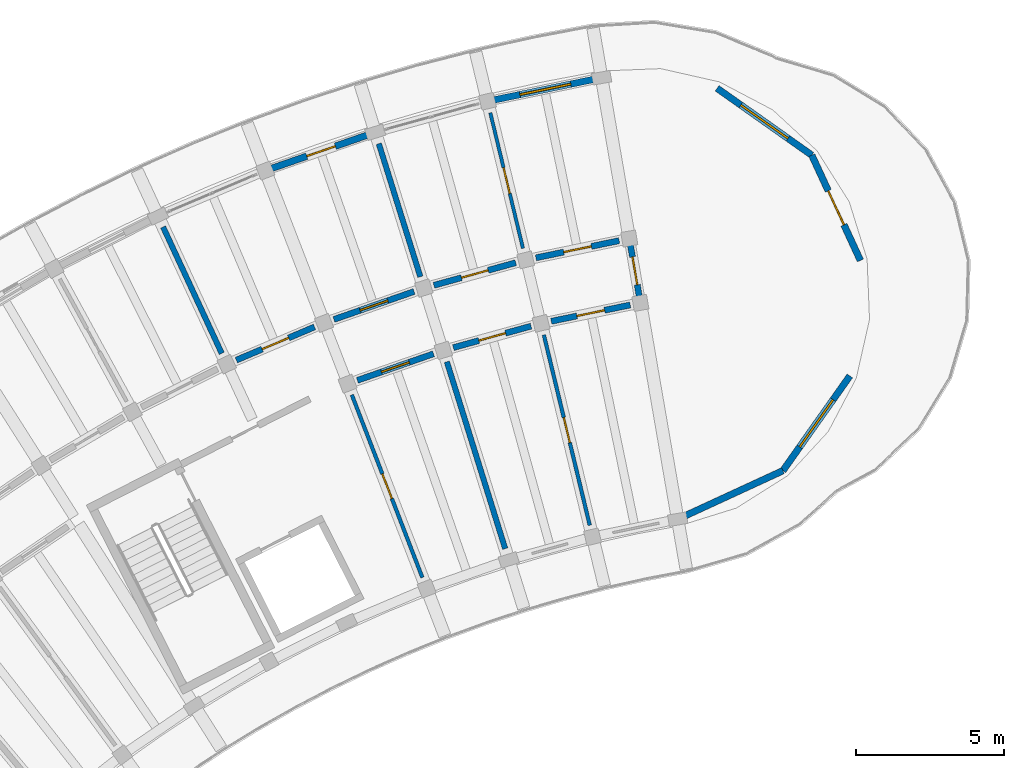
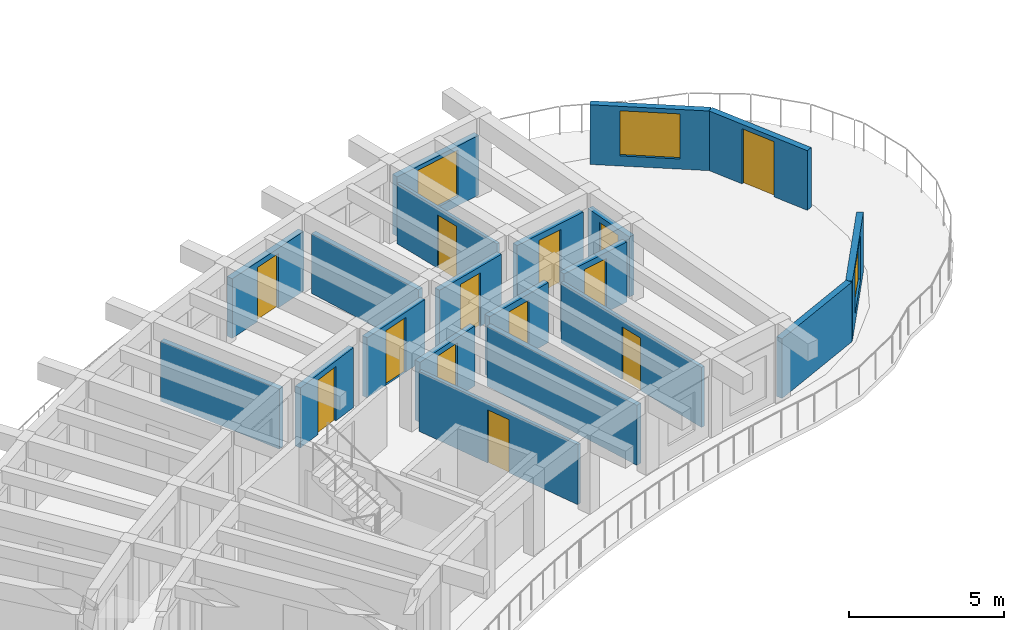
# One storey, part 39 of 62: 20 walls, 13 doors, 3 windows, 16 openings.
"""IFC4 building model written with IfcOpenShell, lengths in metres."""

from ifc_helpers import new_model, si_unit, direction, frame, frame_2d, origin, place, context, subcontext, project, spatial, rectangle, extrude, material, layer, layer_set, type_object, element, fill, save


model = new_model("IFC4")

# Units and contexts
model_context = context("Model", 3, precision=1e-05, world=origin(), true_north=direction((0.0, 1.0)))
body_context = subcontext(model_context, "Body", "Model", "MODEL_VIEW")
ifc_project = project(units=[si_unit("LENGTHUNIT", "METRE"), si_unit("AREAUNIT", "SQUARE_METRE"), si_unit("VOLUMEUNIT", "CUBIC_METRE"), si_unit("PLANEANGLEUNIT", "RADIAN"), si_unit("MASSUNIT", "GRAM", prefix="KILO")], contexts=[model_context])

# Site, building, storey
site_placement = place(None, origin())
site = spatial("IfcSite", under=ifc_project, at=site_placement, CompositionType="ELEMENT")
building_placement = place(site_placement, origin())
building = spatial("IfcBuilding", under=site, at=building_placement, Name="Tanwirah Colonnade Gardens", CompositionType="ELEMENT")
storey_placement = place(building_placement, frame((0.0, 0.0, 32.360107421875)))
storey = spatial("IfcBuildingStorey", under=building, at=storey_placement, Name="L09", CompositionType="ELEMENT", Elevation=32.360107421875)

# Wall, opening, window
ifc_material_1 = material(Name="Limestone architectural precast concrete C40/50", Category="masonry")
ifc_layer_1 = layer(ifc_material_1, 0.22509765625)
ifc_layer_set_1 = layer_set([ifc_layer_1], Name="Limestone architectural precast concrete C40/50")
wall_type_1 = type_object("IfcWallType", Name="EW-PC225", PredefinedType="SOLIDWALL", material=ifc_layer_set_1)
wall_1_placement = place(storey_placement, frame((54.72509765625, 118.8515625, 0.0), z_axis=(0.0, 0.0, 1.0), x_axis=(-0.979336300967, -0.202238496848, 0.0)))
wall_1 = element("IfcWall", 1, at=wall_1_placement, inside=storey, type_object=wall_type_1, Name="Block A L09 OUT Precast Facade Wall 1", PredefinedType="SOLIDWALL", context=body_context, shape_type="SweptSolid", body=[
    extrude(rectangle(XDim=3.540771484375, YDim=0.22509765625, at=frame_2d((1.7705078125, 0.0))), origin(), (0.0, 0.0, 1.0), 2.35498046875),
])
opening_1_placement = place(wall_1_placement, frame((0.895263671875, 0.0, 0.35009765625)))
opening_1 = element("IfcOpeningElement", 2, at=opening_1_placement, cuts=wall_1, Name="Opening WIN-T13", PredefinedType="OPENING", context=body_context, shape_type="SweptSolid", body=[
    extrude(rectangle(XDim=1.75, YDim=1.85009765625, at=frame_2d((0.875, 0.925048828125))), frame((0.0, 0.12255859375, 0.0), z_axis=(0.0, -1.0, 0.0), x_axis=(1.0, 0.0, 0.0)), (0.0, 0.0, 1.0), 0.2451171875),
])
ifc_material_2 = material(Name="Thermally broken bronze aluminium and solar low-E double glazing", Category="aluminium")
window_type_1 = type_object("IfcWindowType", Name="WIN-T13", PartitioningType="TRIPLE_PANEL_VERTICAL", PredefinedType="WINDOW", material=ifc_material_2)
window_1_placement = place(opening_1_placement, origin())
window_1 = element("IfcWindow", 3, at=window_1_placement, inside=storey, type_object=window_type_1, Name="Facade window A-L09-OUT-01", OverallHeight=1.85009765625, OverallWidth=1.75, PartitioningType="SINGLE_PANEL", PredefinedType="WINDOW", context=body_context, shape_type="SweptSolid", body=[
    extrude(rectangle(XDim=1.75, YDim=1.85009765625, at=frame_2d((0.875, 0.925048828125))), frame((0.0, 0.030029296875, 0.0), z_axis=(0.0, -1.0, 0.0), x_axis=(1.0, 0.0, 0.0)), (0.0, 0.0, 1.0), 0.06005859375),
])
fill(opening_1, window_1)

# Wall, opening, door
wall_2_placement = place(storey_placement, frame((47.1025390625, 116.991455078125, 0.0), z_axis=(0.0, 0.0, 1.0), x_axis=(-0.944250036963, -0.329229202373, 0.0)))
wall_2 = element("IfcWall", 4, at=wall_2_placement, inside=storey, type_object=wall_type_1, Name="Block A L09 OUT Precast Facade Wall 3", PredefinedType="SOLIDWALL", context=body_context, shape_type="SweptSolid", body=[
    extrude(rectangle(XDim=3.541015625, YDim=0.22509765625, at=frame_2d((1.7705078125, 0.0))), origin(), (0.0, 0.0, 1.0), 2.35498046875),
])
opening_2_placement = place(wall_2_placement, frame((1.26025390625, 0.0, 0.0)))
opening_2 = element("IfcOpeningElement", 5, at=opening_2_placement, cuts=wall_2, Name="Opening L09-ED041", PredefinedType="OPENING", context=body_context, shape_type="SweptSolid", body=[
    extrude(rectangle(XDim=1.02001953125, YDim=2.139892578125, at=frame_2d((0.510009765625, 1.06982421875))), frame((0.0, 0.12255859375, 0.0), z_axis=(0.0, -1.0, 0.0), x_axis=(1.0, 0.0, 0.0)), (0.0, 0.0, 1.0), 0.2451171875),
])
ifc_material_3 = material(Name="Bronze aluminium glazed balcony door", Category="aluminium")
door_type_1 = type_object("IfcDoorType", Name="ED-BAL102", OperationType="NOTDEFINED", PredefinedType="DOOR", material=ifc_material_3)
door_1_placement = place(opening_2_placement, origin())
door_1 = element("IfcDoor", 6, at=door_1_placement, inside=storey, type_object=door_type_1, Name="Balcony glazed door L09-ED041", OperationType="SINGLE_SWING_LEFT", OverallHeight=2.139892578125, OverallWidth=1.02001953125, PredefinedType="DOOR", context=body_context, shape_type="SweptSolid", body=[
    extrude(rectangle(XDim=1.02001953125, YDim=2.139892578125, at=frame_2d((0.510009765625, 1.06982421875))), frame((0.0, 0.02490234375, 0.0), z_axis=(0.0, -1.0, 0.0), x_axis=(1.0, 0.0, 0.0)), (0.0, 0.0, 1.0), 0.050048828125),
])
fill(opening_2, door_1)

# Wall, opening, window
wall_3_placement = place(storey_placement, frame((58.77880859375, 118.529296875, 0.0), z_axis=(0.0, 0.0, 1.0), x_axis=(0.816903802512, -0.576773939634, 0.0)))
wall_3 = element("IfcWall", 7, at=wall_3_placement, inside=storey, type_object=wall_type_1, Name="Block A L09 START Rounded End Wall 1", PredefinedType="SOLIDWALL", context=body_context, shape_type="SweptSolid", body=[
    extrude(rectangle(XDim=3.908203125, YDim=0.22509765625, at=frame_2d((1.9541015625, 0.0))), origin(), (0.0, 0.0, 1.0), 2.35498046875),
])
opening_3_placement = place(wall_3_placement, frame((0.97900390625, 0.0, 0.39990234375)))
opening_3 = element("IfcOpeningElement", 8, at=opening_3_placement, cuts=wall_3, Name="Opening WIN-END2", PredefinedType="OPENING", context=body_context, shape_type="SweptSolid", body=[
    extrude(rectangle(XDim=1.949951171875, YDim=1.780029296875, at=frame_2d((0.97509765625, 0.89013671875))), frame((0.0, 0.12255859375, 0.0), z_axis=(0.0, -1.0, 0.0), x_axis=(1.0, 0.0, 0.0)), (0.0, 0.0, 1.0), 0.2451171875),
])
window_type_2 = type_object("IfcWindowType", Name="WIN-END2", PartitioningType="TRIPLE_PANEL_VERTICAL", PredefinedType="WINDOW", material=ifc_material_2)
window_2_placement = place(opening_3_placement, origin())
window_2 = element("IfcWindow", 9, at=window_2_placement, inside=storey, type_object=window_type_2, Name="Rounded corner window A-L09-START-1", OverallHeight=1.780029296875, OverallWidth=1.949951171875, PartitioningType="SINGLE_PANEL", PredefinedType="WINDOW", context=body_context, shape_type="SweptSolid", body=[
    extrude(rectangle(XDim=1.949951171875, YDim=1.780029296875, at=frame_2d((0.97509765625, 0.89013671875))), frame((0.0, 0.030029296875, 0.0), z_axis=(0.0, -1.0, 0.0), x_axis=(1.0, 0.0, 0.0)), (0.0, 0.0, 1.0), 0.06005859375),
])
fill(opening_3, window_2)

# Wall, opening, door
wall_4_placement = place(storey_placement, frame((61.971435546875, 116.275146484375, 0.0), z_axis=(0.0, 0.0, 1.0), x_axis=(0.419109676255, -0.907935614055, 0.0)))
wall_4 = element("IfcWall", 10, at=wall_4_placement, inside=storey, type_object=wall_type_1, Name="Block A L09 START Rounded End Wall 2", PredefinedType="SOLIDWALL", context=body_context, shape_type="SweptSolid", body=[
    extrude(rectangle(XDim=3.908203125, YDim=0.22509765625, at=frame_2d((1.9541015625, 0.0))), origin(), (0.0, 0.0, 1.0), 2.35498046875),
])
opening_4_placement = place(wall_4_placement, frame((1.32421875, 0.0, 0.0)))
opening_4 = element("IfcOpeningElement", 11, at=opening_4_placement, cuts=wall_4, Name="Opening L09-ED045", PredefinedType="OPENING", context=body_context, shape_type="SweptSolid", body=[
    extrude(rectangle(XDim=1.260009765625, YDim=2.179931640625, at=frame_2d((0.6298828125, 1.08984375))), frame((0.0, 0.12255859375, 0.0), z_axis=(0.0, -1.0, 0.0), x_axis=(1.0, 0.0, 0.0)), (0.0, 0.0, 1.0), 0.2451171875),
])
ifc_material_4 = material(Name="Bronze aluminium glazed terrace door", Category="aluminium")
door_type_2 = type_object("IfcDoorType", Name="ED-TER126", OperationType="NOTDEFINED", PredefinedType="DOOR", material=ifc_material_4)
door_2_placement = place(opening_4_placement, origin())
door_2 = element("IfcDoor", 12, at=door_2_placement, inside=storey, type_object=door_type_2, Name="Stepped corner terrace door L09-ED045", OperationType="SINGLE_SWING_RIGHT", OverallHeight=2.179931640625, OverallWidth=1.260009765625, PredefinedType="DOOR", context=body_context, shape_type="SweptSolid", body=[
    extrude(rectangle(XDim=1.260009765625, YDim=2.179931640625, at=frame_2d((0.6298828125, 1.08984375))), frame((0.0, 0.02490234375, 0.0), z_axis=(0.0, -1.0, 0.0), x_axis=(1.0, 0.0, 0.0)), (0.0, 0.0, 1.0), 0.050048828125),
])
fill(opening_4, door_2)

# Wall, opening, window
wall_5_placement = place(storey_placement, frame((63.253662109375, 108.8349609375, 0.0), z_axis=(0.0, 0.0, 1.0), x_axis=(-0.576773939634, -0.816903802512, 0.0)))
wall_5 = element("IfcWall", 13, at=wall_5_placement, inside=storey, type_object=wall_type_1, Name="Block A L09 START Rounded End Wall 4", PredefinedType="SOLIDWALL", context=body_context, shape_type="SweptSolid", body=[
    extrude(rectangle(XDim=3.908203125, YDim=0.22509765625, at=frame_2d((1.9541015625, 0.0))), origin(), (0.0, 0.0, 1.0), 2.35498046875),
])
opening_5_placement = place(wall_5_placement, frame((0.97900390625, 0.0, 0.39990234375)))
opening_5 = element("IfcOpeningElement", 14, at=opening_5_placement, cuts=wall_5, Name="Opening WIN-END2", PredefinedType="OPENING", context=body_context, shape_type="SweptSolid", body=[
    extrude(rectangle(XDim=1.949951171875, YDim=1.780029296875, at=frame_2d((0.97509765625, 0.89013671875))), frame((0.0, 0.12255859375, 0.0), z_axis=(0.0, -1.0, 0.0), x_axis=(1.0, 0.0, 0.0)), (0.0, 0.0, 1.0), 0.2451171875),
])
window_3_placement = place(opening_5_placement, origin())
window_3 = element("IfcWindow", 15, at=window_3_placement, inside=storey, type_object=window_type_2, Name="Rounded corner window A-L09-START-4", OverallHeight=1.780029296875, OverallWidth=1.949951171875, PartitioningType="SINGLE_PANEL", PredefinedType="WINDOW", context=body_context, shape_type="SweptSolid", body=[
    extrude(rectangle(XDim=1.949951171875, YDim=1.780029296875, at=frame_2d((0.97509765625, 0.89013671875))), frame((0.0, 0.030029296875, 0.0), z_axis=(0.0, -1.0, 0.0), x_axis=(1.0, 0.0, 0.0)), (0.0, 0.0, 1.0), 0.06005859375),
])
fill(opening_5, window_3)

# Wall
wall_6_placement = place(storey_placement, frame((60.99951171875, 105.642333984375, 0.0), z_axis=(0.0, 0.0, 1.0), x_axis=(-0.907935614055, -0.419109676255, 0.0)))
element("IfcWall", 16, at=wall_6_placement, inside=storey, type_object=wall_type_1, Name="Block A L09 START Rounded End Wall 5", PredefinedType="SOLIDWALL", context=body_context, shape_type="SweptSolid", body=[
    extrude(rectangle(XDim=3.908203125, YDim=0.22509765625, at=frame_2d((1.9541015625, 0.0))), origin(), (0.0, 0.0, 1.0), 2.35498046875),
])

# Wall, opening, door
ifc_material_5 = material(Name="Precast concrete C40/50", Category="concrete")
ifc_layer_2 = layer(ifc_material_5, 0.205078125)
ifc_layer_set_2 = layer_set([ifc_layer_2], Name="Precast concrete C40/50")
wall_type_2 = type_object("IfcWallType", Name="IW-CORR205", PredefinedType="PARTITIONING", material=ifc_layer_set_2)
wall_7_placement = place(storey_placement, frame((55.47802734375, 113.39404296875, 0.0), z_axis=(0.0, 0.0, 1.0), x_axis=(-0.979348418612, -0.202179808492, 0.0)))
wall_7 = element("IfcWall", 17, at=wall_7_placement, inside=storey, type_object=wall_type_2, Name="Block A L09 OUT Corridor Wall 1", PredefinedType="PARTITIONING", context=body_context, shape_type="SweptSolid", body=[
    extrude(rectangle(XDim=2.863037109375, YDim=0.205078125, at=frame_2d((1.431640625, 0.0))), origin(), (0.0, 0.0, 1.0), 2.369873046875),
])
opening_6_placement = place(wall_7_placement, frame((0.95654296875, 0.0, 0.0)))
opening_6 = element("IfcOpeningElement", 18, at=opening_6_placement, cuts=wall_7, Name="Opening L09-AD598", PredefinedType="OPENING", context=body_context, shape_type="SweptSolid", body=[
    extrude(rectangle(XDim=0.949951171875, YDim=2.1298828125, at=frame_2d((0.47509765625, 1.06494140625))), frame((0.0, 0.112548828125, 0.0), z_axis=(0.0, -1.0, 0.0), x_axis=(1.0, 0.0, 0.0)), (0.0, 0.0, 1.0), 0.22509765625),
])
ifc_material_6 = material(Name="Solid oak fire-resisting apartment entrance door")
door_type_3 = type_object("IfcDoorType", Name="ID-FLT095", OperationType="NOTDEFINED", PredefinedType="DOOR", material=ifc_material_6)
door_3_placement = place(opening_6_placement, origin())
door_3 = element("IfcDoor", 19, at=door_3_placement, inside=storey, type_object=door_type_3, Name="Apartment corridor door L09-AD598", OperationType="SINGLE_SWING_LEFT", OverallHeight=2.1298828125, OverallWidth=0.949951171875, PredefinedType="DOOR", context=body_context, shape_type="SweptSolid", body=[
    extrude(rectangle(XDim=0.949951171875, YDim=2.1298828125, at=frame_2d((0.47509765625, 1.06494140625))), frame((0.0, 0.02490234375, 0.0), z_axis=(0.0, -1.0, 0.0), x_axis=(1.0, 0.0, 0.0)), (0.0, 0.0, 1.0), 0.050048828125),
])
fill(opening_6, door_3)

wall_8_placement = place(storey_placement, frame((55.851806640625, 111.22607421875, 0.0), z_axis=(0.0, 0.0, 1.0), x_axis=(-0.979349423541, -0.202174940608, 0.0)))
wall_8 = element("IfcWall", 20, at=wall_8_placement, inside=storey, type_object=wall_type_2, Name="Block A L09 IN Corridor Wall 1", PredefinedType="PARTITIONING", context=body_context, shape_type="SweptSolid", body=[
    extrude(rectangle(XDim=2.71826171875, YDim=0.205078125, at=frame_2d((1.359130859375, 0.0))), origin(), (0.0, 0.0, 1.0), 2.369873046875),
])
opening_7_placement = place(wall_8_placement, frame((0.884033203125, 0.0, 0.0)))
opening_7 = element("IfcOpeningElement", 21, at=opening_7_placement, cuts=wall_8, Name="Opening L09-AD599", PredefinedType="OPENING", context=body_context, shape_type="SweptSolid", body=[
    extrude(rectangle(XDim=0.949951171875, YDim=2.1298828125, at=frame_2d((0.47509765625, 1.06494140625))), frame((0.0, 0.112548828125, 0.0), z_axis=(0.0, -1.0, 0.0), x_axis=(1.0, 0.0, 0.0)), (0.0, 0.0, 1.0), 0.22509765625),
])
door_4_placement = place(opening_7_placement, origin())
door_4 = element("IfcDoor", 22, at=door_4_placement, inside=storey, type_object=door_type_3, Name="Apartment corridor door L09-AD599", OperationType="SINGLE_SWING_RIGHT", OverallHeight=2.1298828125, OverallWidth=0.949951171875, PredefinedType="DOOR", context=body_context, shape_type="SweptSolid", body=[
    extrude(rectangle(XDim=0.949951171875, YDim=2.1298828125, at=frame_2d((0.47509765625, 1.06494140625))), frame((0.0, 0.02490234375, 0.0), z_axis=(0.0, -1.0, 0.0), x_axis=(1.0, 0.0, 0.0)), (0.0, 0.0, 1.0), 0.050048828125),
])
fill(opening_7, door_4)

wall_9_placement = place(storey_placement, frame((51.993896484375, 112.651123046875, 0.0), z_axis=(0.0, 0.0, 1.0), x_axis=(-0.963890789093, -0.266297853356, 0.0)))
wall_9 = element("IfcWall", 23, at=wall_9_placement, inside=storey, type_object=wall_type_2, Name="Block A L09 OUT Corridor Wall 2", PredefinedType="PARTITIONING", context=body_context, shape_type="SweptSolid", body=[
    extrude(rectangle(XDim=2.863037109375, YDim=0.205078125, at=frame_2d((1.431640625, 0.0))), origin(), (0.0, 0.0, 1.0), 2.369873046875),
])
opening_8_placement = place(wall_9_placement, frame((0.966552734375, 0.0, 0.0)))
opening_8 = element("IfcOpeningElement", 24, at=opening_8_placement, cuts=wall_9, Name="Opening L09-AD602", PredefinedType="OPENING", context=body_context, shape_type="SweptSolid", body=[
    extrude(rectangle(XDim=0.929931640625, YDim=2.1201171875, at=frame_2d((0.46484375, 1.06005859375))), frame((0.0, 0.112548828125, 0.0), z_axis=(0.0, -1.0, 0.0), x_axis=(1.0, 0.0, 0.0)), (0.0, 0.0, 1.0), 0.22509765625),
])
door_type_4 = type_object("IfcDoorType", Name="ID-FLT093", OperationType="NOTDEFINED", PredefinedType="DOOR", material=ifc_material_6)
door_5_placement = place(opening_8_placement, origin())
door_5 = element("IfcDoor", 25, at=door_5_placement, inside=storey, type_object=door_type_4, Name="Apartment corridor door L09-AD602", OperationType="SINGLE_SWING_RIGHT", OverallHeight=2.1201171875, OverallWidth=0.929931640625, PredefinedType="DOOR", context=body_context, shape_type="SweptSolid", body=[
    extrude(rectangle(XDim=0.929931640625, YDim=2.1201171875, at=frame_2d((0.46484375, 1.06005859375))), frame((0.0, 0.02490234375, 0.0), z_axis=(0.0, -1.0, 0.0), x_axis=(1.0, 0.0, 0.0)), (0.0, 0.0, 1.0), 0.050048828125),
])
fill(opening_8, door_5)

wall_10_placement = place(storey_placement, frame((52.509521484375, 110.512451171875, 0.0), z_axis=(0.0, 0.0, 1.0), x_axis=(-0.96388375821, -0.266323301006, 0.0)))
wall_10 = element("IfcWall", 26, at=wall_10_placement, inside=storey, type_object=wall_type_2, Name="Block A L09 IN Corridor Wall 2", PredefinedType="PARTITIONING", context=body_context, shape_type="SweptSolid", body=[
    extrude(rectangle(XDim=2.718017578125, YDim=0.205078125, at=frame_2d((1.35888671875, 0.0))), origin(), (0.0, 0.0, 1.0), 2.369873046875),
])
opening_9_placement = place(wall_10_placement, frame((0.89404296875, 0.0, 0.0)))
opening_9 = element("IfcOpeningElement", 27, at=opening_9_placement, cuts=wall_10, Name="Opening L09-AD603", PredefinedType="OPENING", context=body_context, shape_type="SweptSolid", body=[
    extrude(rectangle(XDim=0.929931640625, YDim=2.1201171875, at=frame_2d((0.46484375, 1.06005859375))), frame((0.0, 0.112548828125, 0.0), z_axis=(0.0, -1.0, 0.0), x_axis=(1.0, 0.0, 0.0)), (0.0, 0.0, 1.0), 0.22509765625),
])
door_6_placement = place(opening_9_placement, origin())
door_6 = element("IfcDoor", 28, at=door_6_placement, inside=storey, type_object=door_type_4, Name="Apartment corridor door L09-AD603", OperationType="SINGLE_SWING_LEFT", OverallHeight=2.1201171875, OverallWidth=0.929931640625, PredefinedType="DOOR", context=body_context, shape_type="SweptSolid", body=[
    extrude(rectangle(XDim=0.929931640625, YDim=2.1201171875, at=frame_2d((0.46484375, 1.06005859375))), frame((0.0, 0.02490234375, 0.0), z_axis=(0.0, -1.0, 0.0), x_axis=(1.0, 0.0, 0.0)), (0.0, 0.0, 1.0), 0.050048828125),
])
fill(opening_9, door_6)

wall_11_placement = place(storey_placement, frame((48.56640625, 111.68017578125, 0.0), z_axis=(0.0, 0.0, 1.0), x_axis=(-0.944253820929, -0.329218349522, 0.0)))
wall_11 = element("IfcWall", 29, at=wall_11_placement, inside=storey, type_object=wall_type_2, Name="Block A L09 OUT Corridor Wall 3", PredefinedType="PARTITIONING", context=body_context, shape_type="SweptSolid", body=[
    extrude(rectangle(XDim=2.86328125, YDim=0.205078125, at=frame_2d((1.431640625, 0.0))), origin(), (0.0, 0.0, 1.0), 2.369873046875),
])
opening_10_placement = place(wall_11_placement, frame((0.9365234375, 0.0, 0.0)))
opening_10 = element("IfcOpeningElement", 30, at=opening_10_placement, cuts=wall_11, Name="Opening L09-AD604", PredefinedType="OPENING", context=body_context, shape_type="SweptSolid", body=[
    extrude(rectangle(XDim=0.989990234375, YDim=2.159912109375, at=frame_2d((0.4951171875, 1.080078125))), frame((0.0, 0.112548828125, 0.0), z_axis=(0.0, -1.0, 0.0), x_axis=(1.0, 0.0, 0.0)), (0.0, 0.0, 1.0), 0.22509765625),
])
door_type_5 = type_object("IfcDoorType", Name="ID-FLT099", OperationType="NOTDEFINED", PredefinedType="DOOR", material=ifc_material_6)
door_7_placement = place(opening_10_placement, origin())
door_7 = element("IfcDoor", 31, at=door_7_placement, inside=storey, type_object=door_type_5, Name="Apartment corridor door L09-AD604", OperationType="SINGLE_SWING_LEFT", OverallHeight=2.159912109375, OverallWidth=0.989990234375, PredefinedType="DOOR", context=body_context, shape_type="SweptSolid", body=[
    extrude(rectangle(XDim=0.989990234375, YDim=2.159912109375, at=frame_2d((0.4951171875, 1.080078125))), frame((0.0, 0.02490234375, 0.0), z_axis=(0.0, -1.0, 0.0), x_axis=(1.0, 0.0, 0.0)), (0.0, 0.0, 1.0), 0.050048828125),
])
fill(opening_10, door_7)

wall_12_placement = place(storey_placement, frame((49.221923828125, 109.580078125, 0.0), z_axis=(0.0, 0.0, 1.0), x_axis=(-0.944265123647, -0.329185929627, 0.0)))
wall_12 = element("IfcWall", 32, at=wall_12_placement, inside=storey, type_object=wall_type_2, Name="Block A L09 IN Corridor Wall 3", PredefinedType="PARTITIONING", context=body_context, shape_type="SweptSolid", body=[
    extrude(rectangle(XDim=2.71826171875, YDim=0.205078125, at=frame_2d((1.359130859375, 0.0))), origin(), (0.0, 0.0, 1.0), 2.369873046875),
])
opening_11_placement = place(wall_12_placement, frame((0.864013671875, 0.0, 0.0)))
opening_11 = element("IfcOpeningElement", 33, at=opening_11_placement, cuts=wall_12, Name="Opening L09-AD605", PredefinedType="OPENING", context=body_context, shape_type="SweptSolid", body=[
    extrude(rectangle(XDim=0.989990234375, YDim=2.159912109375, at=frame_2d((0.4951171875, 1.080078125))), frame((0.0, 0.112548828125, 0.0), z_axis=(0.0, -1.0, 0.0), x_axis=(1.0, 0.0, 0.0)), (0.0, 0.0, 1.0), 0.22509765625),
])
door_8_placement = place(opening_11_placement, origin())
door_8 = element("IfcDoor", 34, at=door_8_placement, inside=storey, type_object=door_type_5, Name="Apartment corridor door L09-AD605", OperationType="SINGLE_SWING_RIGHT", OverallHeight=2.159912109375, OverallWidth=0.989990234375, PredefinedType="DOOR", context=body_context, shape_type="SweptSolid", body=[
    extrude(rectangle(XDim=0.989990234375, YDim=2.159912109375, at=frame_2d((0.4951171875, 1.080078125))), frame((0.0, 0.02490234375, 0.0), z_axis=(0.0, -1.0, 0.0), x_axis=(1.0, 0.0, 0.0)), (0.0, 0.0, 1.0), 0.050048828125),
])
fill(opening_11, door_8)

wall_13_placement = place(storey_placement, frame((45.210205078125, 110.485595703125, 0.0), z_axis=(0.0, 0.0, 1.0), x_axis=(-0.920511160294, -0.390716270168, 0.0)))
wall_13 = element("IfcWall", 35, at=wall_13_placement, inside=storey, type_object=wall_type_2, Name="Block A L09 OUT Corridor Wall 4", PredefinedType="PARTITIONING", context=body_context, shape_type="SweptSolid", body=[
    extrude(rectangle(XDim=2.863037109375, YDim=0.205078125, at=frame_2d((1.431640625, 0.0))), origin(), (0.0, 0.0, 1.0), 2.369873046875),
])
opening_12_placement = place(wall_13_placement, frame((0.946533203125, 0.0, 0.0)))
opening_12 = element("IfcOpeningElement", 36, at=opening_12_placement, cuts=wall_13, Name="Opening L09-AD607", PredefinedType="OPENING", context=body_context, shape_type="SweptSolid", body=[
    extrude(rectangle(XDim=0.969970703125, YDim=2.14990234375, at=frame_2d((0.48486328125, 1.074951171875))), frame((0.0, 0.112548828125, 0.0), z_axis=(0.0, -1.0, 0.0), x_axis=(1.0, 0.0, 0.0)), (0.0, 0.0, 1.0), 0.22509765625),
])
door_type_6 = type_object("IfcDoorType", Name="ID-FLT097", OperationType="NOTDEFINED", PredefinedType="DOOR", material=ifc_material_6)
door_9_placement = place(opening_12_placement, origin())
door_9 = element("IfcDoor", 37, at=door_9_placement, inside=storey, type_object=door_type_6, Name="Apartment corridor door L09-AD607", OperationType="SINGLE_SWING_RIGHT", OverallHeight=2.14990234375, OverallWidth=0.969970703125, PredefinedType="DOOR", context=body_context, shape_type="SweptSolid", body=[
    extrude(rectangle(XDim=0.969970703125, YDim=2.14990234375, at=frame_2d((0.48486328125, 1.074951171875))), frame((0.0, 0.02490234375, 0.0), z_axis=(0.0, -1.0, 0.0), x_axis=(1.0, 0.0, 0.0)), (0.0, 0.0, 1.0), 0.050048828125),
])
fill(opening_12, door_9)

wall_14_placement = place(storey_placement, frame((56.18603515625, 111.34619140625, 0.0), z_axis=(0.0, 0.0, 1.0), x_axis=(-0.169864088707, 0.98546749889, 0.0)))
wall_14 = element("IfcWall", 38, at=wall_14_placement, inside=storey, type_object=wall_type_2, Name="Block A L09 CS Corner Suite Corridor Wall", PredefinedType="PARTITIONING", context=body_context, shape_type="SweptSolid", body=[
    extrude(rectangle(XDim=2.099853515625, YDim=0.205078125, at=frame_2d((1.0498046875, 0.0))), origin(), (0.0, 0.0, 1.0), 2.369873046875),
])
opening_13_placement = place(wall_14_placement, frame((0.570068359375, 0.0, 0.0)))
opening_13 = element("IfcOpeningElement", 39, at=opening_13_placement, cuts=wall_14, Name="Opening L09-CD632", PredefinedType="OPENING", context=body_context, shape_type="SweptSolid", body=[
    extrude(rectangle(XDim=0.949951171875, YDim=2.1298828125, at=frame_2d((0.47509765625, 1.06494140625))), frame((0.0, 0.112548828125, 0.0), z_axis=(0.0, -1.0, 0.0), x_axis=(1.0, 0.0, 0.0)), (0.0, 0.0, 1.0), 0.22509765625),
])
door_10_placement = place(opening_13_placement, origin())
door_10 = element("IfcDoor", 40, at=door_10_placement, inside=storey, type_object=door_type_3, Name="Corner suite entrance door L09-CD632", OperationType="SINGLE_SWING_LEFT", OverallHeight=2.1298828125, OverallWidth=0.949951171875, PredefinedType="DOOR", context=body_context, shape_type="SweptSolid", body=[
    extrude(rectangle(XDim=0.949951171875, YDim=2.1298828125, at=frame_2d((0.47509765625, 1.06494140625))), frame((0.0, 0.02490234375, 0.0), z_axis=(0.0, -1.0, 0.0), x_axis=(1.0, 0.0, 0.0)), (0.0, 0.0, 1.0), 0.050048828125),
])
fill(opening_13, door_10)

# Walls
ifc_layer_3 = layer(ifc_material_5, 0.18505859375)
ifc_layer_set_3 = layer_set([ifc_layer_3], Name="Precast concrete C40/50")
wall_type_3 = type_object("IfcWallType", Name="IW-DEM185", PredefinedType="PARTITIONING", material=ifc_layer_set_3)
wall_15_placement = place(storey_placement, frame((48.777587890625, 112.17724609375, 0.0), z_axis=(0.0, 0.0, 1.0), x_axis=(-0.297905254614, 0.954595442726, 0.0)))
element("IfcWall", 41, at=wall_15_placement, inside=storey, type_object=wall_type_3, Name="Block A L09 Radial Partition 2", PredefinedType="PARTITIONING", context=body_context, shape_type="SweptSolid", body=[
    extrude(rectangle(XDim=4.699951171875, YDim=0.18505859375, at=frame_2d((2.35009765625, 0.0))), origin(), (0.0, 0.0, 1.0), 2.369873046875),
])
wall_16_placement = place(storey_placement, frame((51.637939453125, 103.01318359375, 0.0), z_axis=(0.0, 0.0, 1.0), x_axis=(-0.2979590431, 0.954578655028, 0.0)))
element("IfcWall", 42, at=wall_16_placement, inside=storey, type_object=wall_type_3, Name="Block A L09 Inner Radial Partition 2", PredefinedType="PARTITIONING", context=body_context, shape_type="SweptSolid", body=[
    extrude(rectangle(XDim=6.60009765625, YDim=0.18505859375, at=frame_2d((3.300048828125, 0.0))), origin(), (0.0, 0.0, 1.0), 2.369873046875),
])
wall_17_placement = place(storey_placement, frame((42.084228515625, 109.593017578125, 0.0), z_axis=(0.0, 0.0, 1.0), x_axis=(-0.420862519045, 0.907124434718, 0.0)))
element("IfcWall", 43, at=wall_17_placement, inside=storey, type_object=wall_type_3, Name="Block A L09 Radial Partition 4", PredefinedType="PARTITIONING", context=body_context, shape_type="SweptSolid", body=[
    extrude(rectangle(XDim=4.699951171875, YDim=0.18505859375, at=frame_2d((2.35009765625, 0.0))), origin(), (0.0, 0.0, 1.0), 2.369873046875),
])

# Wall, opening, door
ifc_material_7 = material(Name="Acoustic gypsum stud partition")
ifc_layer_4 = layer(ifc_material_7, 0.114990234375)
ifc_layer_set_4 = layer_set([ifc_layer_4], Name="Acoustic gypsum stud partition")
wall_type_4 = type_object("IfcWallType", Name="IW-INT115", PredefinedType="PARTITIONING", material=ifc_layer_set_4)
wall_18_placement = place(storey_placement, frame((52.237548828125, 113.13330078125, 0.0), z_axis=(0.0, 0.0, 1.0), x_axis=(-0.234386624934, 0.972143461662, 0.0)))
wall_18 = element("IfcWall", 44, at=wall_18_placement, inside=storey, type_object=wall_type_4, Name="Block A L09 Radial Partition 1", PredefinedType="PARTITIONING", context=body_context, shape_type="SweptSolid", body=[
    extrude(rectangle(XDim=4.69970703125, YDim=0.114990234375, at=frame_2d((2.349853515625, 0.0))), origin(), (0.0, 0.0, 1.0), 2.369873046875),
])
opening_14_placement = place(wall_18_placement, frame((1.905029296875, 0.0, 0.0)))
opening_14 = element("IfcOpeningElement", 45, at=opening_14_placement, cuts=wall_18, Name="Opening L09-RD600", PredefinedType="OPENING", context=body_context, shape_type="SweptSolid", body=[
    extrude(rectangle(XDim=0.889892578125, YDim=2.10009765625, at=frame_2d((0.44482421875, 1.050048828125))), frame((0.0, 0.0673828125, 0.0), z_axis=(0.0, -1.0, 0.0), x_axis=(1.0, 0.0, 0.0)), (0.0, 0.0, 1.0), 0.135009765625),
])
ifc_material_8 = material(Name="Painted hardwood bedroom door", Category="wood")
door_type_7 = type_object("IfcDoorType", Name="ID-RM089", OperationType="NOTDEFINED", PredefinedType="DOOR", material=ifc_material_8)
door_11_placement = place(opening_14_placement, origin())
door_11 = element("IfcDoor", 46, at=door_11_placement, inside=storey, type_object=door_type_7, Name="Internal apartment door L09-RD600", OperationType="SINGLE_SWING_LEFT", OverallHeight=2.10009765625, OverallWidth=0.889892578125, PredefinedType="DOOR", context=body_context, shape_type="SweptSolid", body=[
    extrude(rectangle(XDim=0.889892578125, YDim=2.10009765625, at=frame_2d((0.44482421875, 1.050048828125))), frame((0.0, 0.02490234375, 0.0), z_axis=(0.0, -1.0, 0.0), x_axis=(1.0, 0.0, 0.0)), (0.0, 0.0, 1.0), 0.050048828125),
])
fill(opening_14, door_11)

ifc_material_9 = material(Name="Moisture-resistant gypsum stud partition")
ifc_layer_5 = layer(ifc_material_9, 0.125)
ifc_layer_set_5 = layer_set([ifc_layer_5], Name="Moisture-resistant gypsum stud partition")
wall_type_5 = type_object("IfcWallType", Name="IW-INT125", PredefinedType="PARTITIONING", material=ifc_layer_set_5)
wall_19_placement = place(storey_placement, frame((54.48779296875, 103.800537109375, 0.0), z_axis=(0.0, 0.0, 1.0), x_axis=(-0.234406698576, 0.972138621629, 0.0)))
wall_19 = element("IfcWall", 47, at=wall_19_placement, inside=storey, type_object=wall_type_5, Name="Block A L09 Inner Radial Partition 1", PredefinedType="PARTITIONING", context=body_context, shape_type="SweptSolid", body=[
    extrude(rectangle(XDim=6.60009765625, YDim=0.125, at=frame_2d((3.300048828125, 0.0))), origin(), (0.0, 0.0, 1.0), 2.369873046875),
])
opening_15_placement = place(wall_19_placement, frame((2.864990234375, 0.0, 0.0)))
opening_15 = element("IfcOpeningElement", 48, at=opening_15_placement, cuts=wall_19, Name="Opening L09-RD601", PredefinedType="OPENING", context=body_context, shape_type="SweptSolid", body=[
    extrude(rectangle(XDim=0.8701171875, YDim=2.080078125, at=frame_2d((0.43505859375, 1.0400390625))), frame((0.0, 0.072509765625, 0.0), z_axis=(0.0, -1.0, 0.0), x_axis=(1.0, 0.0, 0.0)), (0.0, 0.0, 1.0), 0.14501953125),
])
ifc_material_10 = material(Name="Painted hardwood study door", Category="wood")
door_type_8 = type_object("IfcDoorType", Name="ID-RM087", OperationType="NOTDEFINED", PredefinedType="DOOR", material=ifc_material_10)
door_12_placement = place(opening_15_placement, origin())
door_12 = element("IfcDoor", 49, at=door_12_placement, inside=storey, type_object=door_type_8, Name="Internal apartment door L09-RD601", OperationType="SINGLE_SWING_RIGHT", OverallHeight=2.080078125, OverallWidth=0.8701171875, PredefinedType="DOOR", context=body_context, shape_type="SweptSolid", body=[
    extrude(rectangle(XDim=0.8701171875, YDim=2.080078125, at=frame_2d((0.43505859375, 1.0400390625))), frame((0.0, 0.02490234375, 0.0), z_axis=(0.0, -1.0, 0.0), x_axis=(1.0, 0.0, 0.0)), (0.0, 0.0, 1.0), 0.050048828125),
])
fill(opening_15, door_12)

wall_20_placement = place(storey_placement, frame((48.845947265625, 102.039794921875, 0.0), z_axis=(0.0, 0.0, 1.0), x_axis=(-0.360183473608, 0.932881485152, 0.0)))
wall_20 = element("IfcWall", 50, at=wall_20_placement, inside=storey, type_object=wall_type_5, Name="Block A L09 Inner Radial Partition 3", PredefinedType="PARTITIONING", context=body_context, shape_type="SweptSolid", body=[
    extrude(rectangle(XDim=6.599853515625, YDim=0.125, at=frame_2d((3.2998046875, 0.0))), origin(), (0.0, 0.0, 1.0), 2.369873046875),
])
opening_16_placement = place(wall_20_placement, frame((2.85498046875, 0.0, 0.0)))
opening_16 = element("IfcOpeningElement", 51, at=opening_16_placement, cuts=wall_20, Name="Opening L09-RD606", PredefinedType="OPENING", context=body_context, shape_type="SweptSolid", body=[
    extrude(rectangle(XDim=0.889892578125, YDim=2.10009765625, at=frame_2d((0.44482421875, 1.050048828125))), frame((0.0, 0.072509765625, 0.0), z_axis=(0.0, -1.0, 0.0), x_axis=(1.0, 0.0, 0.0)), (0.0, 0.0, 1.0), 0.14501953125),
])
door_13_placement = place(opening_16_placement, origin())
door_13 = element("IfcDoor", 52, at=door_13_placement, inside=storey, type_object=door_type_7, Name="Internal apartment door L09-RD606", OperationType="SINGLE_SWING_RIGHT", OverallHeight=2.10009765625, OverallWidth=0.889892578125, PredefinedType="DOOR", context=body_context, shape_type="SweptSolid", body=[
    extrude(rectangle(XDim=0.889892578125, YDim=2.10009765625, at=frame_2d((0.44482421875, 1.050048828125))), frame((0.0, 0.02490234375, 0.0), z_axis=(0.0, -1.0, 0.0), x_axis=(1.0, 0.0, 0.0)), (0.0, 0.0, 1.0), 0.050048828125),
])
fill(opening_16, door_13)

save(model, "model.ifc")
